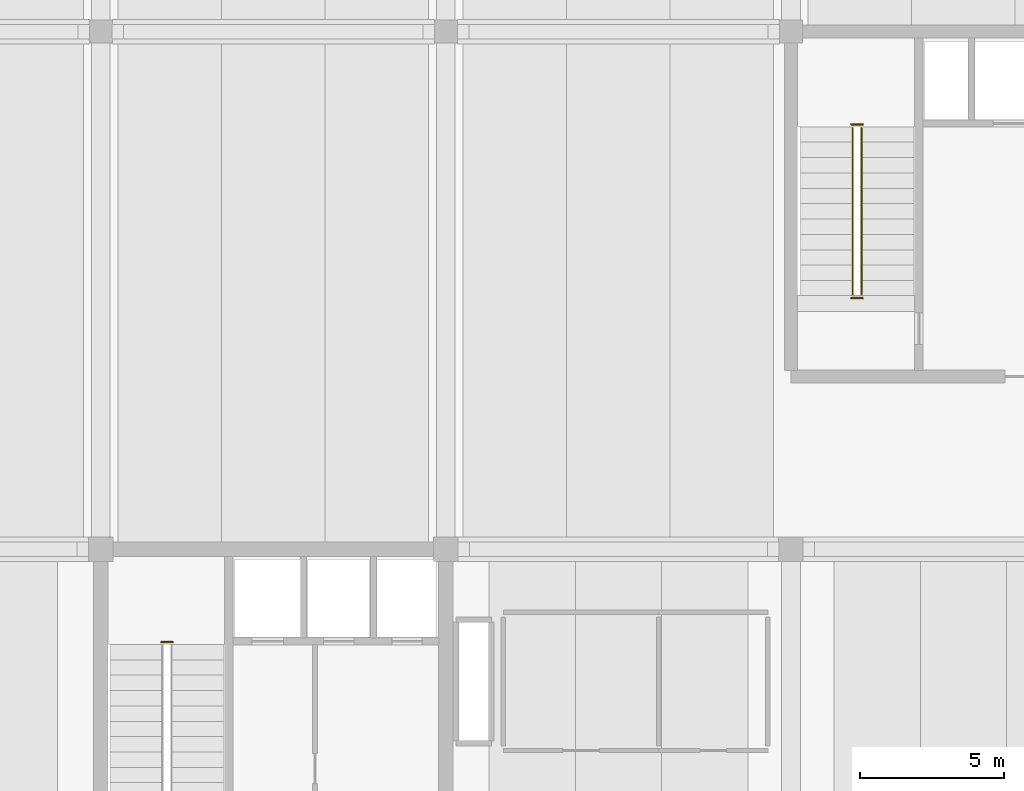
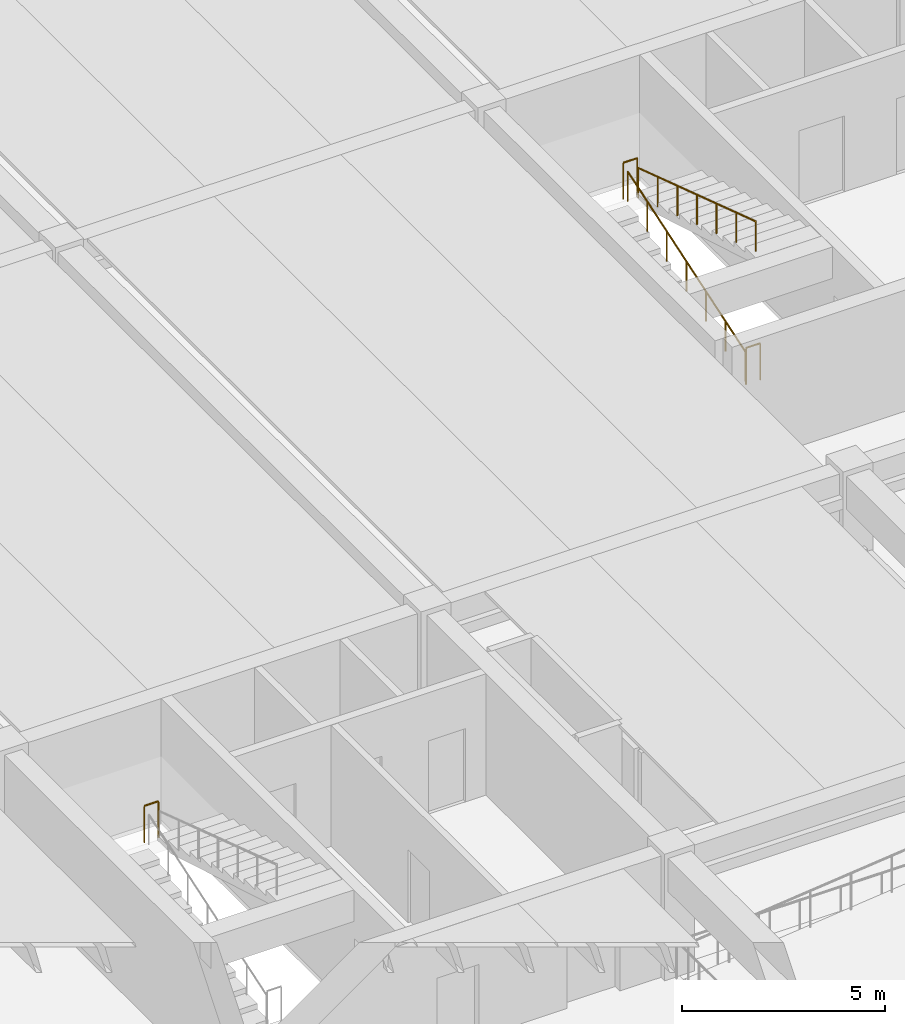
# One storey, part 20 of 21: 5 railings.
"""IFC4 building model written with IfcOpenShell, lengths in metres."""

from ifc_helpers import new_model, si_unit, direction, frame, origin, origin_2d, place, context, subcontext, project, spatial, circle, extrude, material, layer, layer_set, type_object, element, save


model = new_model("IFC4")

# Units and contexts
model_context = context("Model", 3, precision=1e-05, world=origin(), true_north=direction((0.0, 1.0)))
body_context = subcontext(model_context, "Body", "Model", "MODEL_VIEW")
ifc_project = project(units=[si_unit("LENGTHUNIT", "METRE"), si_unit("AREAUNIT", "SQUARE_METRE"), si_unit("VOLUMEUNIT", "CUBIC_METRE"), si_unit("PLANEANGLEUNIT", "RADIAN"), si_unit("MASSUNIT", "GRAM", prefix="KILO")], contexts=[model_context])

# Site, building, storey
site_placement = place(None, origin())
site = spatial("IfcSite", under=ifc_project, at=site_placement, CompositionType="ELEMENT")
building_placement = place(site_placement, origin())
building = spatial("IfcBuilding", under=site, at=building_placement, Name="Girod Span Mobility Hub", CompositionType="ELEMENT")
storey_placement = place(building_placement, frame((0.0, 0.0, 17.199951171875)))
storey = spatial("IfcBuildingStorey", under=building, at=storey_placement, Name="L04", CompositionType="ELEMENT", Elevation=17.199951171875)

# Railings
ifc_material_1 = material(Name="Painted Galvanised Steel", Category="steel")
ifc_layer_1 = layer(ifc_material_1, 0.06494140625)
ifc_layer_set_1 = layer_set([ifc_layer_1], Name="Painted Galvanised Steel")
railing_type_1 = type_object("IfcRailingType", Name="RL-GRD-1120", PredefinedType="GUARDRAIL", material=ifc_layer_set_1)
for number, where, name in (
    (1, (50.10009765625, 65.77001953125, 1.900146484375), "Stair ST-1 Half-Landing Well Guard L04"),
    (2, (74.10009765625, 83.77001953125, 1.900146484375), "Stair ST-4 Half-Landing Well Guard L04"),
    (3, (74.10009765625, 77.72998046875, 0.0), "Stair ST-4 Landing Well Guard L04"),
):
    element("IfcRailing", number, at=place(storey_placement, frame(where)), inside=storey, type_object=railing_type_1, Name=name, PredefinedType="GUARDRAIL", context=body_context, shape_type="SweptSolid", body=[
        extrude(circle(Radius=0.02392578125, at=origin_2d()), frame((0.0, 0.0, 1.09619140625), z_axis=(1.0, 0.0, 0.0), x_axis=(0.0, 1.0, 0.0)), (0.0, 0.0, 1.0), 0.39990234375),
        extrude(circle(Radius=0.02099609375, at=origin_2d()), origin(), (0.0, 0.0, 1.0), 1.072021484375),
        extrude(circle(Radius=0.02099609375, at=origin_2d()), frame((0.39990234375, 0.0, 0.0)), (0.0, 0.0, 1.0), 1.072021484375),
    ])
ifc_material_2 = material(Name="Painted Galvanised Steel", Category="steel")
ifc_layer_2 = layer(ifc_material_2, 0.050048828125)
ifc_layer_set_2 = layer_set([ifc_layer_2], Name="Painted Galvanised Steel")
railing_type_2 = type_object("IfcRailingType", Name="RL-HR-920", PredefinedType="HANDRAIL", material=ifc_layer_set_2)
railing_1_placement = place(storey_placement, frame((74.14990234375, 77.860107421875, 0.0)))
element("IfcRailing", 4, at=railing_1_placement, inside=storey, type_object=railing_type_2, Name="Stair ST-4 Flight 1 Handrail L04", PredefinedType="HANDRAIL", context=body_context, shape_type="SweptSolid", body=[
    extrude(circle(Radius=0.02392578125, at=origin_2d()), frame((0.0, 0.0, 0.89599609375), z_axis=(0.0, 0.949979375482, 0.31231264169), x_axis=(-1.0, 0.0, 0.0)), (0.0, 0.0, 1.0), 6.084228515625),
    extrude(circle(Radius=0.02099609375, at=origin_2d()), origin(), (0.0, 0.0, 1.0), 0.871826171875),
    extrude(circle(Radius=0.02099609375, at=origin_2d()), frame((0.0, 0.96337890625, 0.316650390625)), (0.0, 0.0, 1.0), 0.871826171875),
    extrude(circle(Radius=0.02099609375, at=origin_2d()), frame((0.0, 1.926513671875, 0.63330078125)), (0.0, 0.0, 1.0), 0.871826171875),
    extrude(circle(Radius=0.02099609375, at=origin_2d()), frame((0.0, 2.889892578125, 0.9501953125)), (0.0, 0.0, 1.0), 0.871826171875),
    extrude(circle(Radius=0.02099609375, at=origin_2d()), frame((0.0, 3.853271484375, 1.266845703125)), (0.0, 0.0, 1.0), 0.871826171875),
    extrude(circle(Radius=0.02099609375, at=origin_2d()), frame((0.0, 4.81640625, 1.58349609375)), (0.0, 0.0, 1.0), 0.871826171875),
    extrude(circle(Radius=0.02099609375, at=origin_2d()), frame((0.0, 5.77978515625, 1.900146484375)), (0.0, 0.0, 1.0), 0.871826171875),
])
railing_2_placement = place(storey_placement, frame((74.449951171875, 83.639892578125, 1.900146484375)))
element("IfcRailing", 5, at=railing_2_placement, inside=storey, type_object=railing_type_2, Name="Stair ST-4 Flight 2 Handrail L04", PredefinedType="HANDRAIL", context=body_context, shape_type="SweptSolid", body=[
    extrude(circle(Radius=0.02392578125, at=origin_2d()), frame((0.0, 0.0, 0.89599609375), z_axis=(0.0, -0.949991280403, 0.312276427477), x_axis=(1.0, 0.0, 0.0)), (0.0, 0.0, 1.0), 6.083984375),
    extrude(circle(Radius=0.02099609375, at=origin_2d()), origin(), (0.0, 0.0, 1.0), 0.871826171875),
    extrude(circle(Radius=0.02099609375, at=origin_2d()), frame((0.0, -0.96337890625, 0.316650390625)), (0.0, 0.0, 1.0), 0.871826171875),
    extrude(circle(Radius=0.02099609375, at=origin_2d()), frame((0.0, -1.926513671875, 0.63330078125)), (0.0, 0.0, 1.0), 0.871826171875),
    extrude(circle(Radius=0.02099609375, at=origin_2d()), frame((0.0, -2.889892578125, 0.949951171875)), (0.0, 0.0, 1.0), 0.871826171875),
    extrude(circle(Radius=0.02099609375, at=origin_2d()), frame((0.0, -3.853271484375, 1.2666015625)), (0.0, 0.0, 1.0), 0.871826171875),
    extrude(circle(Radius=0.02099609375, at=origin_2d()), frame((0.0, -4.81640625, 1.583251953125)), (0.0, 0.0, 1.0), 0.871826171875),
    extrude(circle(Radius=0.02099609375, at=origin_2d()), frame((0.0, -5.77978515625, 1.89990234375)), (0.0, 0.0, 1.0), 0.871826171875),
])

save(model, "model.ifc")
